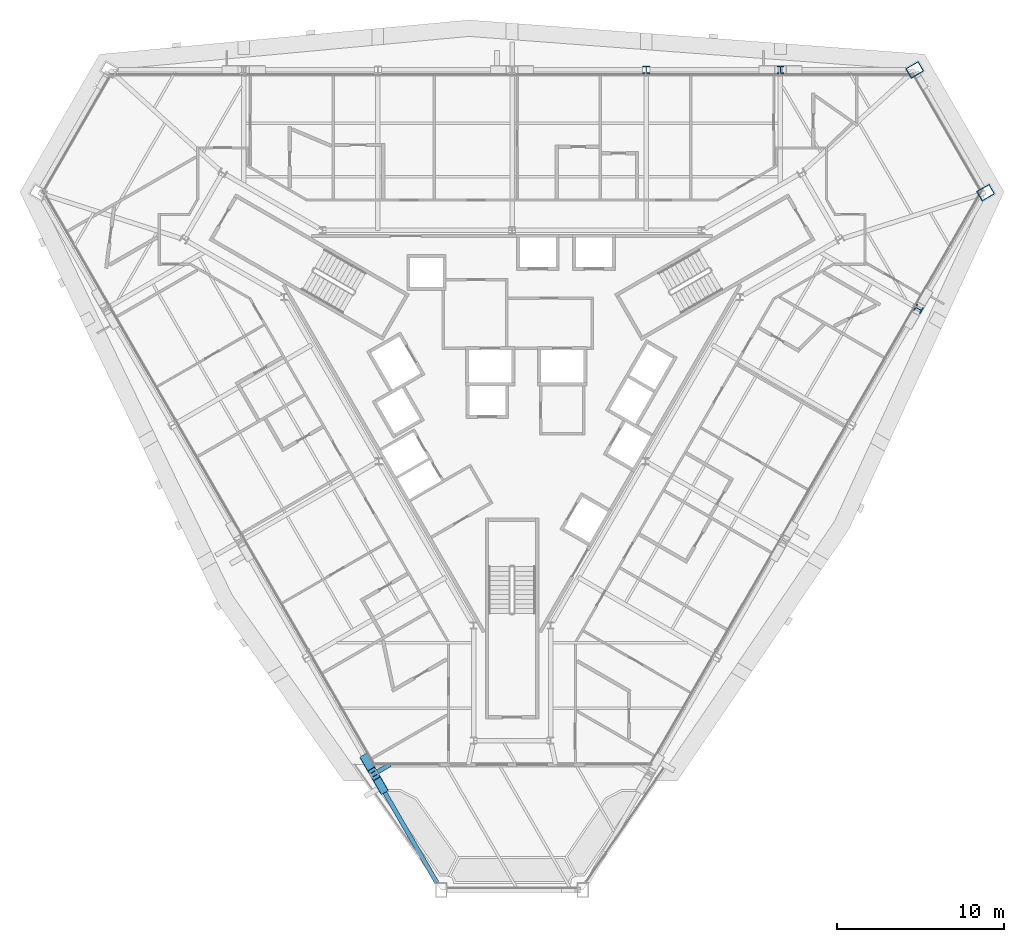
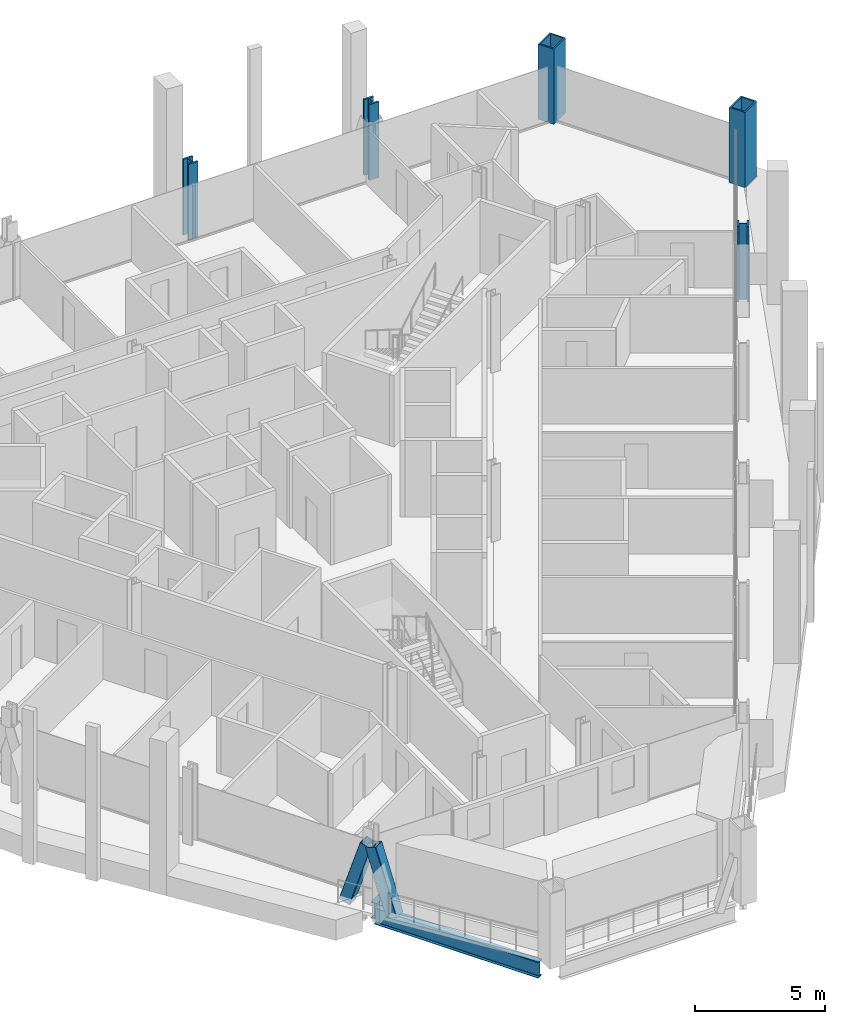
# One storey, part 2 of 16: 5 columns, 2 beams, 2 members.
"""IFC4 building model written with IfcOpenShell, lengths in metres."""

from ifc_helpers import new_model, si_unit, direction, frame, origin, origin_2d, place, context, subcontext, project, spatial, hollow_rectangle, i_section, extrude, material, material_profile, profile_set, type_object, element, save


model = new_model("IFC4")

# Units and contexts
model_context = context("Model", 3, precision=1e-05, world=origin(), true_north=direction((0.0, 1.0)))
body_context = subcontext(model_context, "Body", "Model", "MODEL_VIEW")
ifc_project = project(units=[si_unit("LENGTHUNIT", "METRE"), si_unit("AREAUNIT", "SQUARE_METRE"), si_unit("VOLUMEUNIT", "CUBIC_METRE"), si_unit("PLANEANGLEUNIT", "RADIAN"), si_unit("MASSUNIT", "GRAM", prefix="KILO")], contexts=[model_context])

# Site, building, storey
site_placement = place(None, origin())
site = spatial("IfcSite", under=ifc_project, at=site_placement, CompositionType="ELEMENT")
building_placement = place(site_placement, origin())
building = spatial("IfcBuilding", under=site, at=building_placement, Name="Verrane Prism Tower", CompositionType="ELEMENT")
storey_placement = place(building_placement, frame((0.0, 0.0, 114.39990234375)))
storey = spatial("IfcBuildingStorey", under=building, at=storey_placement, Name="L27", CompositionType="ELEMENT", Elevation=114.39990234375)

# Columns
ifc_material_1 = material(Name="Steel A572 Grade 50", Category="steel")
ifc_material_profile_1 = material_profile(ifc_material_1, hollow_rectangle(XDim=0.699951171875, YDim=0.89990234375, WallThickness=0.06494140625, at=origin_2d()), Name="BOX 900x700x65")
ifc_profile_set_1 = profile_set([ifc_material_profile_1], Name="Steel A572 Grade 50")
column_type_1 = type_object("IfcColumnType", Name="Megacolumn BOX 900x700x65", PredefinedType="COLUMN", material=ifc_profile_set_1)
for number, where, z_axis, x_axis, name in (
    (1, (24.070068359375, 18.7900390625, 0.0), (0.0, 0.0, 1.0), (0.5, -0.866025403784, 0.0), "Megacolumn MC-NE.b L27"),
    (2, (28.31005859375, 11.449951171875, 0.0), (0.0, 0.0, 1.0), (0.5, -0.866025403784, 0.0), "Megacolumn MC-NE.a L27"),
):
    element("IfcColumn", number, at=place(storey_placement, frame(where, z_axis=z_axis, x_axis=x_axis)), inside=storey, type_object=column_type_1, Name=name, PredefinedType="COLUMN", context=body_context, shape_type="SweptSolid", body=[
        extrude(hollow_rectangle(XDim=0.699951171875, YDim=0.89990234375, WallThickness=0.06494140625, at=origin_2d()), origin(), (0.0, 0.0, 1.0), 3.525146484375),
    ])
ifc_material_2 = material(Name="Steel A992", Category="steel")
ifc_material_profile_2 = material_profile(ifc_material_2, i_section(OverallWidth=0.424072265625, OverallDepth=0.47509765625, WebThickness=0.0478515625, FlangeThickness=0.0771484375, FilletRadius=0.014892578125, at=origin_2d()), Name="W14x426")
ifc_profile_set_2 = profile_set([ifc_material_profile_2], Name="Steel A992")
column_type_2 = type_object("IfcColumnType", Name="Perimeter column W14x426", PredefinedType="COLUMN", material=ifc_profile_set_2)
column_1_placement = place(storey_placement, frame((16.0400390625, 18.7900390625, 0.0), z_axis=(0.0, 0.0, 1.0), x_axis=(1.0, 0.0, 0.0)))
element("IfcColumn", 3, at=column_1_placement, inside=storey, type_object=column_type_2, Name="Perimeter column PC-N1 L27", PredefinedType="COLUMN", context=body_context, shape_type="SweptSolid", body=[
    extrude(i_section(OverallWidth=0.424072265625, OverallDepth=0.47509765625, WebThickness=0.0478515625, FlangeThickness=0.0771484375, FilletRadius=0.014892578125, at=origin_2d()), origin(), (0.0, 0.0, 1.0), 3.55517578125),
])
column_2_placement = place(storey_placement, frame((8.02001953125, 18.7900390625, 0.0), z_axis=(0.0, 0.0, 1.0), x_axis=(1.0, 0.0, 0.0)))
element("IfcColumn", 4, at=column_2_placement, inside=storey, type_object=column_type_2, Name="Perimeter column PC-N2 L27", PredefinedType="COLUMN", context=body_context, shape_type="SweptSolid", body=[
    extrude(i_section(OverallWidth=0.424072265625, OverallDepth=0.47509765625, WebThickness=0.0478515625, FlangeThickness=0.0771484375, FilletRadius=0.014892578125, at=origin_2d()), origin(), (0.0, 0.0, 1.0), 3.56005859375),
])
column_3_placement = place(storey_placement, frame((24.300048828125, 4.5, 0.0), z_axis=(0.0, 0.0, 1.0), x_axis=(-0.5, -0.866025403784, 0.0)))
element("IfcColumn", 5, at=column_3_placement, inside=storey, type_object=column_type_2, Name="Perimeter column PC-SE5 L27", PredefinedType="COLUMN", context=body_context, shape_type="SweptSolid", body=[
    extrude(i_section(OverallWidth=0.424072265625, OverallDepth=0.47509765625, WebThickness=0.0478515625, FlangeThickness=0.0771484375, FilletRadius=0.014892578125, at=origin_2d()), origin(), (0.0, 0.0, 1.0), 3.55517578125),
])

# Members
ifc_material_3 = material(Name="Steel A1085 Grade A", Category="steel")
ifc_material_profile_3 = material_profile(ifc_material_3, hollow_rectangle(XDim=0.508056640625, YDim=0.508056640625, WallThickness=0.025390625, InnerFilletRadius=0.0126953125, OuterFilletRadius=0.0380859375, at=origin_2d()), Name="HSS20x20x1")
ifc_profile_set_3 = profile_set([ifc_material_profile_3], Name="Steel A1085 Grade A")
member_type = type_object("IfcMemberType", Name="Facade brace HSS20x20x1", PredefinedType="BRACE", material=ifc_profile_set_3)
for number, where, z_axis, x_axis, name in (
    (6, (-8.77587890625, -22.37890625, -0.242431640625), (0.151679099417, -0.262769123058, 0.952861920095), (0.866069249885, 0.499924048634, 0.0), "Facade brace SW4 L27"),
    (7, (-7.72412109375, -24.201171875, -0.242431640625), (-0.151679099417, 0.262769123058, 0.952861920095), (-0.866069249885, -0.499924048634, 0.0), "Facade brace SW5 L27"),
):
    element("IfcMember", number, at=place(storey_placement, frame(where, z_axis=z_axis, x_axis=x_axis)), inside=storey, type_object=member_type, Name=name, PredefinedType="BRACE", context=body_context, shape_type="SweptSolid", body=[
        extrude(hollow_rectangle(XDim=0.508056640625, YDim=0.508056640625, WallThickness=0.025390625, InnerFilletRadius=0.0126953125, OuterFilletRadius=0.0380859375, at=origin_2d()), origin(), (0.0, 0.0, 1.0), 3.109619140625),
    ])

# Beams
ifc_material_4 = material(Name="Steel A992", Category="steel")
ifc_material_profile_4 = material_profile(ifc_material_4, i_section(OverallWidth=0.2666015625, OverallDepth=0.76708984375, WebThickness=0.014892578125, FlangeThickness=0.023681640625, FilletRadius=0.0166015625, at=origin_2d()), Name="W30x124")
ifc_profile_set_4 = profile_set([ifc_material_profile_4], Name="Steel A992")
beam_type_1 = type_object("IfcBeamType", Name="Radial girder W30x124", PredefinedType="BEAM", material=ifc_profile_set_4)
beam_1_placement = place(storey_placement, frame((-8.044189453125, -23.17138671875, -0.603515625), z_axis=(0.865875918815, 0.500258826225, 0.0), x_axis=(-0.500258826225, 0.865875918815, 0.0)))
element("IfcBeam", 8, at=beam_1_placement, inside=storey, type_object=beam_type_1, Name="Radial girder L27", PredefinedType="BEAM", context=body_context, shape_type="SweptSolid", body=[
    extrude(i_section(OverallWidth=0.2666015625, OverallDepth=0.76708984375, WebThickness=0.014892578125, FlangeThickness=0.023681640625, FilletRadius=0.0166015625, at=origin_2d()), origin(), (0.0, 0.0, 1.0), 0.86669921875),
])
ifc_material_5 = material(Name="Steel A992", Category="steel")
ifc_material_profile_5 = material_profile(ifc_material_5, i_section(OverallWidth=0.2666015625, OverallDepth=0.7568359375, WebThickness=0.013916015625, FlangeThickness=0.019287109375, FilletRadius=0.0166015625, at=origin_2d()), Name="W30x108")
ifc_profile_set_5 = profile_set([ifc_material_profile_5], Name="Steel A992")
beam_type_2 = type_object("IfcBeamType", Name="Spandrel beam W30x108", PredefinedType="SPANDREL", material=ifc_profile_set_5)
beam_2_placement = place(storey_placement, frame((-8.14404296875, -23.4736328125, -0.538330078125), z_axis=(0.499768824934, -0.866158831638, 0.0), x_axis=(0.866158831638, 0.499768824934, 0.0)))
element("IfcBeam", 9, at=beam_2_placement, inside=storey, type_object=beam_type_2, Name="Spandrel beam L27", PredefinedType="SPANDREL", context=body_context, shape_type="SweptSolid", body=[
    extrude(i_section(OverallWidth=0.2666015625, OverallDepth=0.7568359375, WebThickness=0.013916015625, FlangeThickness=0.019287109375, FilletRadius=0.0166015625, at=origin_2d()), origin(), (0.0, 0.0, 1.0), 7.29248046875),
])

save(model, "model.ifc")
